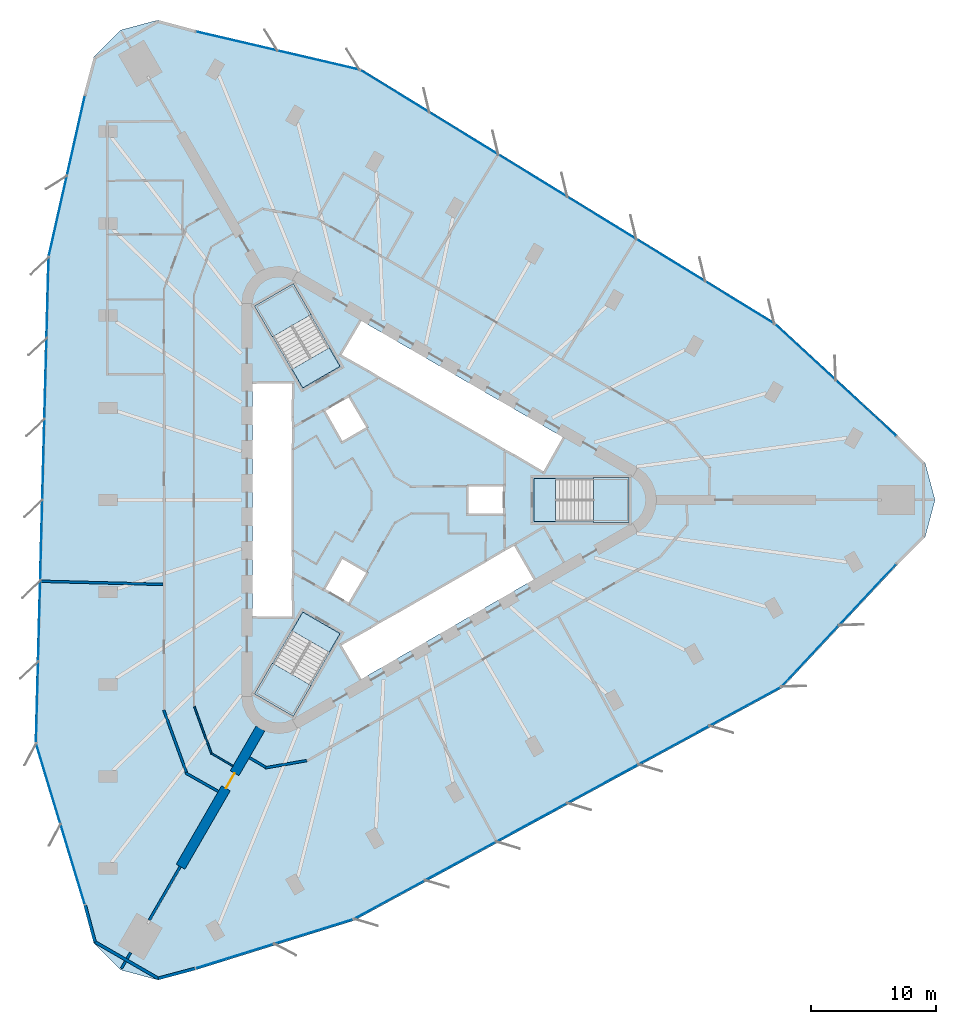
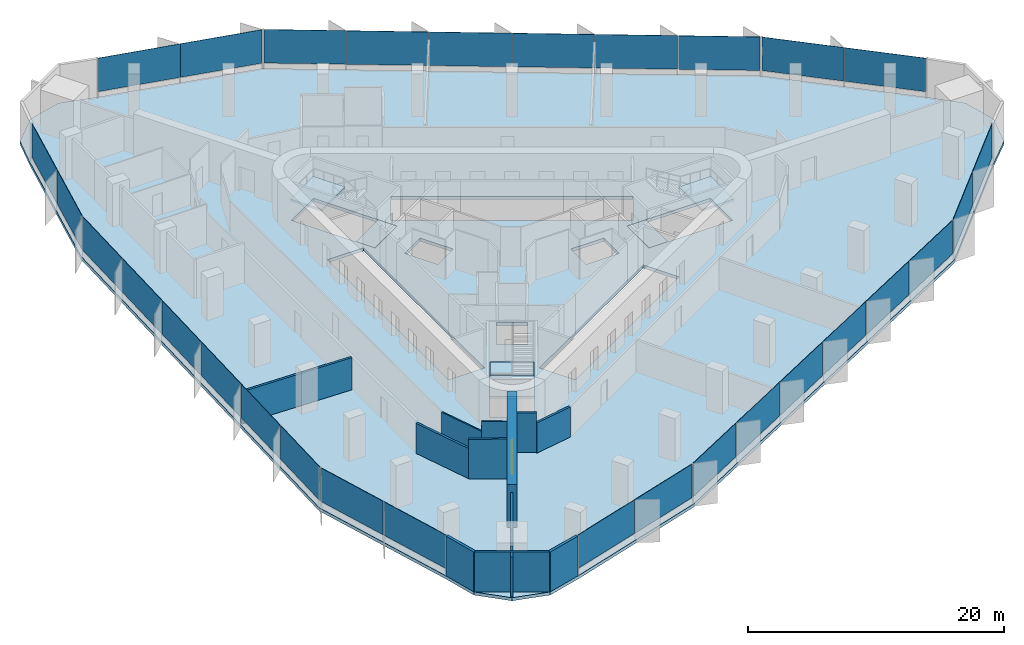
# One storey, part 8 of 14: 30 plates, 14 walls, 7 slabs, 1 door, 1 opening, 12 elements without a shape of their own.
"""IFC4 building model written with IfcOpenShell, lengths in metres."""

from ifc_helpers import new_model, si_unit, direction, frame, frame_2d, origin, origin_2d, place, context, subcontext, project, spatial, polyline, rectangle, outline, extrude, material, layer, layer_set, type_object, element, fill, aggregate, save


model = new_model("IFC4")

# Units and contexts
model_context = context("Model", 3, precision=1e-05, world=origin(), true_north=direction((0.0, 1.0)))
body_context = subcontext(model_context, "Body", "Model", "MODEL_VIEW")
ifc_project = project(units=[si_unit("LENGTHUNIT", "METRE"), si_unit("AREAUNIT", "SQUARE_METRE"), si_unit("VOLUMEUNIT", "CUBIC_METRE"), si_unit("PLANEANGLEUNIT", "RADIAN"), si_unit("MASSUNIT", "GRAM", prefix="KILO")], contexts=[model_context])

# Site, building, storey
site_placement = place(None, origin())
site = spatial("IfcSite", under=ifc_project, at=site_placement, CompositionType="ELEMENT")
building_placement = place(site_placement, origin())
building = spatial("IfcBuilding", under=site, at=building_placement, Name="Tanit Gate Tower", CompositionType="ELEMENT")
storey_placement = place(building_placement, frame((0.0, 0.0, 119.300048828125)))
storey = spatial("IfcBuildingStorey", under=building, at=storey_placement, Name="L25", CompositionType="ELEMENT", Elevation=119.300048828125)

# Slab
ifc_material_1 = material(Name="Concrete C35/45", Category="concrete")
ifc_layer_1 = layer(ifc_material_1, 0.300048828125)
ifc_layer_set_1 = layer_set([ifc_layer_1], Name="FLOOR SLAB 300 C35/45")
slab_type_1 = type_object("IfcSlabType", Name="FLOOR SLAB 300 C35/45", PredefinedType="FLOOR", material=ifc_layer_set_1)
slab_1_placement = place(storey_placement, frame((0.0, 0.0, -0.300048828125)))
element("IfcSlab", 1, at=slab_1_placement, inside=storey, type_object=slab_type_1, Name="FLOOR SLAB L25", PredefinedType="FLOOR", context=body_context, shape_type="SweptSolid", body=[
    extrude(outline(polyline([(40.5380859375, 5.17431640625), (42.72509765625, 2.987548828125), (43.525390625, 0.0), (42.72509765625, -2.987548828125), (40.5380859375, -5.17431640625), (31.245849609375, -15.095947265625), (-3.05810546875, -33.7265625), (-15.787841796875, -37.694091796875), (-18.775390625, -38.49462890625), (-21.7626953125, -37.694091796875), (-23.94970703125, -35.507080078125), (-24.750244140625, -32.519775390625), (-28.6962890625, -19.51171875), (-27.678955078125, 19.51171875), (-24.750244140625, 32.519775390625), (-23.94970703125, 35.507080078125), (-21.7626953125, 37.694091796875), (-18.775390625, 38.49462890625), (-15.787841796875, 37.694091796875), (-2.549560546875, 34.607666015625), (30.7373046875, 14.21484375), (40.5380859375, 5.17431640625)]), holes=[polyline([(11.3701171875, 1.72998046875), (18.929931640625, 1.72998046875), (18.929931640625, -1.72998046875), (11.3701171875, -1.72998046875), (11.3701171875, 1.72998046875)]), polyline([(-4.208984375, 11.60986328125), (-2.583984375, 14.424560546875), (13.783935546875, 4.974609375), (12.158935546875, 2.159912109375), (-4.208984375, 11.60986328125)]), polyline([(-4.208984375, -11.60986328125), (9.82080078125, -3.510009765625), (11.44580078125, -6.324462890625), (-2.583984375, -14.424560546875), (-4.208984375, -11.60986328125)]), polyline([(9.0, 1.199951171875), (9.0, -1.199951171875), (6.0, -1.199951171875), (6.0, 1.199951171875), (9.0, 1.199951171875)]), polyline([(-5.539306640625, 7.194091796875), (-3.460693359375, 8.394287109375), (-1.960693359375, 5.796142578125), (-4.039306640625, 4.59619140625), (-5.539306640625, 7.194091796875)]), polyline([(-1.960693359375, -5.796142578125), (-3.460693359375, -8.394287109375), (-5.539306640625, -7.194091796875), (-4.039306640625, -4.59619140625), (-1.960693359375, -5.796142578125)]), polyline([(-10.963134765625, 15.52880859375), (-7.966796875, 17.2587890625), (-4.186767578125, 10.711669921875), (-7.18310546875, 8.981689453125), (-10.963134765625, 15.52880859375)]), polyline([(-4.186767578125, -10.711669921875), (-7.966796875, -17.2587890625), (-10.963134765625, -15.52880859375), (-7.18310546875, -8.981689453125), (-4.186767578125, -10.711669921875)]), polyline([(-11.199951171875, -9.449951171875), (-11.199951171875, 9.449951171875), (-7.949951171875, 9.449951171875), (-7.949951171875, -9.449951171875), (-11.199951171875, -9.449951171875)])]), origin(), (0.0, 0.0, 1.0), 0.300048828125),
])

# Curtain wall, plates
ifc_material_2 = material(Name="Aluminium bronze anodised and glass", Category="aluminium")
curtain_wall_type = type_object("IfcCurtainWallType", Name="Curtain wall typical low", PredefinedType="NOTDEFINED", material=ifc_material_2)
curtain_wall_1_placement = place(storey_placement, origin())
curtain_wall_1 = element("IfcCurtainWall", 2, at=curtain_wall_1_placement, inside=storey, type_object=curtain_wall_type, Name="Curtain wall L25 NE1", PredefinedType="NOTDEFINED")
ifc_material_3 = material(Name="Glass tinted", Category="glass")
ifc_layer_2 = layer(ifc_material_3, 0.031982421875)
ifc_layer_set_2 = layer_set([ifc_layer_2], Name="Glass panel 32 typical low")
plate_type = type_object("IfcPlateType", Name="Glass panel 32 typical low", PredefinedType="CURTAIN_PANEL", material=ifc_layer_set_2)
plate_1_placement = place(storey_placement, frame((37.992431640625, 7.359130859375, 0.60009765625), z_axis=(0.0, 0.0, 1.0), x_axis=(-0.735046201615, 0.678017021535, 0.0)))
plate_1 = element("IfcPlate", 3, at=plate_1_placement, type_object=plate_type, Name="Glass panel L25 NE1.1", PredefinedType="CURTAIN_PANEL", context=body_context, shape_type="SweptSolid", body=[
    extrude(rectangle(XDim=6.539794921875, YDim=0.031982421875, at=origin_2d()), origin(), (0.0, 0.0, 1.0), 3.199951171875),
])
plate_2_placement = place(storey_placement, frame((33.126708984375, 11.847412109375, 0.60009765625), z_axis=(0.0, 0.0, 1.0), x_axis=(-0.735046201615, 0.678017021535, 0.0)))
plate_2 = element("IfcPlate", 4, at=plate_2_placement, type_object=plate_type, Name="Glass panel L25 NE1.2", PredefinedType="CURTAIN_PANEL", context=body_context, shape_type="SweptSolid", body=[
    extrude(rectangle(XDim=6.53955078125, YDim=0.031982421875, at=origin_2d()), origin(), (0.0, 0.0, 1.0), 3.199951171875),
])
aggregate(curtain_wall_1, [plate_1, plate_2])

curtain_wall_2_placement = place(storey_placement, origin())
curtain_wall_2 = element("IfcCurtainWall", 5, at=curtain_wall_2_placement, inside=storey, type_object=curtain_wall_type, Name="Curtain wall L25 NE2", PredefinedType="NOTDEFINED")
plate_3_placement = place(storey_placement, frame((27.864501953125, 15.833984375, 0.60009765625), z_axis=(0.0, 0.0, 1.0), x_axis=(-0.852699967985, 0.522400961521, 0.0)))
plate_3 = element("IfcPlate", 6, at=plate_3_placement, type_object=plate_type, Name="Glass panel L25 NE2.1", PredefinedType="CURTAIN_PANEL", context=body_context, shape_type="SweptSolid", body=[
    extrude(rectangle(XDim=6.40771484375, YDim=0.031982421875, at=origin_2d()), origin(), (0.0, 0.0, 1.0), 3.199951171875),
])
plate_4_placement = place(storey_placement, frame((22.33251953125, 19.22314453125, 0.60009765625), z_axis=(0.0, 0.0, 1.0), x_axis=(-0.852699967985, 0.522400961521, 0.0)))
plate_4 = element("IfcPlate", 7, at=plate_4_placement, type_object=plate_type, Name="Glass panel L25 NE2.2", PredefinedType="CURTAIN_PANEL", context=body_context, shape_type="SweptSolid", body=[
    extrude(rectangle(XDim=6.40771484375, YDim=0.031982421875, at=origin_2d()), origin(), (0.0, 0.0, 1.0), 3.199951171875),
])
plate_5_placement = place(storey_placement, frame((16.800537109375, 22.6123046875, 0.60009765625), z_axis=(0.0, 0.0, 1.0), x_axis=(-0.852699967985, 0.522400961521, 0.0)))
plate_5 = element("IfcPlate", 8, at=plate_5_placement, type_object=plate_type, Name="Glass panel L25 NE2.3", PredefinedType="CURTAIN_PANEL", context=body_context, shape_type="SweptSolid", body=[
    extrude(rectangle(XDim=6.40771484375, YDim=0.031982421875, at=origin_2d()), origin(), (0.0, 0.0, 1.0), 3.199951171875),
])
plate_6_placement = place(storey_placement, frame((11.268310546875, 26.00146484375, 0.60009765625), z_axis=(0.0, 0.0, 1.0), x_axis=(-0.852699967985, 0.522400961521, 0.0)))
plate_6 = element("IfcPlate", 9, at=plate_6_placement, type_object=plate_type, Name="Glass panel L25 NE2.4", PredefinedType="CURTAIN_PANEL", context=body_context, shape_type="SweptSolid", body=[
    extrude(rectangle(XDim=6.40771484375, YDim=0.031982421875, at=origin_2d()), origin(), (0.0, 0.0, 1.0), 3.199951171875),
])
plate_7_placement = place(storey_placement, frame((5.736328125, 29.390625, 0.60009765625), z_axis=(0.0, 0.0, 1.0), x_axis=(-0.852699967985, 0.522400961521, 0.0)))
plate_7 = element("IfcPlate", 10, at=plate_7_placement, type_object=plate_type, Name="Glass panel L25 NE2.5", PredefinedType="CURTAIN_PANEL", context=body_context, shape_type="SweptSolid", body=[
    extrude(rectangle(XDim=6.40771484375, YDim=0.031982421875, at=origin_2d()), origin(), (0.0, 0.0, 1.0), 3.199951171875),
])
plate_8_placement = place(storey_placement, frame((0.204345703125, 32.77978515625, 0.60009765625), z_axis=(0.0, 0.0, 1.0), x_axis=(-0.852699967985, 0.522400961521, 0.0)))
plate_8 = element("IfcPlate", 11, at=plate_8_placement, type_object=plate_type, Name="Glass panel L25 NE2.6", PredefinedType="CURTAIN_PANEL", context=body_context, shape_type="SweptSolid", body=[
    extrude(rectangle(XDim=6.40771484375, YDim=0.031982421875, at=origin_2d()), origin(), (0.0, 0.0, 1.0), 3.199951171875),
])
aggregate(curtain_wall_2, [plate_3, plate_4, plate_5, plate_6, plate_7, plate_8])

curtain_wall_3_placement = place(storey_placement, origin())
curtain_wall_3 = element("IfcCurtainWall", 12, at=curtain_wall_3_placement, inside=storey, type_object=curtain_wall_type, Name="Curtain wall L25 NE3", PredefinedType="NOTDEFINED")
plate_9_placement = place(storey_placement, frame((-5.92041015625, 35.2705078125, 0.60009765625), z_axis=(0.0, 0.0, 1.0), x_axis=(-0.973881812396, 0.227055533921, 0.0)))
plate_9 = element("IfcPlate", 13, at=plate_9_placement, type_object=plate_type, Name="Glass panel L25 NE3.1", PredefinedType="CURTAIN_PANEL", context=body_context, shape_type="SweptSolid", body=[
    extrude(rectangle(XDim=6.66796875, YDim=0.031982421875, at=origin_2d()), origin(), (0.0, 0.0, 1.0), 3.199951171875),
])
plate_10_placement = place(storey_placement, frame((-12.4921875, 36.802490234375, 0.60009765625), z_axis=(0.0, 0.0, 1.0), x_axis=(-0.973881812396, 0.227055533921, 0.0)))
plate_10 = element("IfcPlate", 14, at=plate_10_placement, type_object=plate_type, Name="Glass panel L25 NE3.2", PredefinedType="CURTAIN_PANEL", context=body_context, shape_type="SweptSolid", body=[
    extrude(rectangle(XDim=6.66796875, YDim=0.031982421875, at=origin_2d()), origin(), (0.0, 0.0, 1.0), 3.199951171875),
])
aggregate(curtain_wall_3, [plate_9, plate_10])

curtain_wall_4_placement = place(storey_placement, origin())
curtain_wall_4 = element("IfcCurtainWall", 15, at=curtain_wall_4_placement, inside=storey, type_object=curtain_wall_type, Name="Curtain wall L25 W1", PredefinedType="NOTDEFINED")
plate_11_placement = place(storey_placement, frame((-25.369384765625, 29.222900390625, 0.60009765625), z_axis=(0.0, 0.0, 1.0), x_axis=(-0.21965686404, -0.975577194321, 0.0)))
plate_11 = element("IfcPlate", 16, at=plate_11_placement, type_object=plate_type, Name="Glass panel L25 W1.1", PredefinedType="CURTAIN_PANEL", context=body_context, shape_type="SweptSolid", body=[
    extrude(rectangle(XDim=6.539794921875, YDim=0.031982421875, at=origin_2d()), origin(), (0.0, 0.0, 1.0), 3.199951171875),
])
plate_12_placement = place(storey_placement, frame((-26.823486328125, 22.764892578125, 0.60009765625), z_axis=(0.0, 0.0, 1.0), x_axis=(-0.21965686404, -0.975577194321, 0.0)))
plate_12 = element("IfcPlate", 17, at=plate_12_placement, type_object=plate_type, Name="Glass panel L25 W1.2", PredefinedType="CURTAIN_PANEL", context=body_context, shape_type="SweptSolid", body=[
    extrude(rectangle(XDim=6.53955078125, YDim=0.031982421875, at=origin_2d()), origin(), (0.0, 0.0, 1.0), 3.199951171875),
])
aggregate(curtain_wall_4, [plate_11, plate_12])

curtain_wall_5_placement = place(storey_placement, origin())
curtain_wall_5 = element("IfcCurtainWall", 18, at=curtain_wall_5_placement, inside=storey, type_object=curtain_wall_type, Name="Curtain wall L25 W2", PredefinedType="NOTDEFINED")
plate_13_placement = place(storey_placement, frame((-27.64501953125, 16.21435546875, 0.60009765625), z_axis=(0.0, 0.0, 1.0), x_axis=(-0.026062519646, -0.999660314842, 0.0)))
plate_13 = element("IfcPlate", 19, at=plate_13_placement, type_object=plate_type, Name="Glass panel L25 W2.1", PredefinedType="CURTAIN_PANEL", context=body_context, shape_type="SweptSolid", body=[
    extrude(rectangle(XDim=6.40771484375, YDim=0.031982421875, at=origin_2d()), origin(), (0.0, 0.0, 1.0), 3.199951171875),
])
plate_14_placement = place(storey_placement, frame((-27.81396484375, 9.728759765625, 0.60009765625), z_axis=(0.0, 0.0, 1.0), x_axis=(-0.026062519646, -0.999660314842, 0.0)))
plate_14 = element("IfcPlate", 20, at=plate_14_placement, type_object=plate_type, Name="Glass panel L25 W2.2", PredefinedType="CURTAIN_PANEL", context=body_context, shape_type="SweptSolid", body=[
    extrude(rectangle(XDim=6.40771484375, YDim=0.031982421875, at=origin_2d()), origin(), (0.0, 0.0, 1.0), 3.199951171875),
])
plate_15_placement = place(storey_placement, frame((-27.983154296875, 3.243408203125, 0.60009765625), z_axis=(0.0, 0.0, 1.0), x_axis=(-0.026062519646, -0.999660314842, 0.0)))
plate_15 = element("IfcPlate", 21, at=plate_15_placement, type_object=plate_type, Name="Glass panel L25 W2.3", PredefinedType="CURTAIN_PANEL", context=body_context, shape_type="SweptSolid", body=[
    extrude(rectangle(XDim=6.40771484375, YDim=0.031982421875, at=origin_2d()), origin(), (0.0, 0.0, 1.0), 3.199951171875),
])
plate_16_placement = place(storey_placement, frame((-28.152099609375, -3.241943359375, 0.60009765625), z_axis=(0.0, 0.0, 1.0), x_axis=(-0.026062519646, -0.999660314842, 0.0)))
plate_16 = element("IfcPlate", 22, at=plate_16_placement, type_object=plate_type, Name="Glass panel L25 W2.4", PredefinedType="CURTAIN_PANEL", context=body_context, shape_type="SweptSolid", body=[
    extrude(rectangle(XDim=6.40771484375, YDim=0.031982421875, at=origin_2d()), origin(), (0.0, 0.0, 1.0), 3.199951171875),
])
plate_17_placement = place(storey_placement, frame((-28.3212890625, -9.7275390625, 0.60009765625), z_axis=(0.0, 0.0, 1.0), x_axis=(-0.026062519646, -0.999660314842, 0.0)))
plate_17 = element("IfcPlate", 23, at=plate_17_placement, type_object=plate_type, Name="Glass panel L25 W2.5", PredefinedType="CURTAIN_PANEL", context=body_context, shape_type="SweptSolid", body=[
    extrude(rectangle(XDim=6.40771484375, YDim=0.031982421875, at=origin_2d()), origin(), (0.0, 0.0, 1.0), 3.199951171875),
])
plate_18_placement = place(storey_placement, frame((-28.490234375, -16.212890625, 0.60009765625), z_axis=(0.0, 0.0, 1.0), x_axis=(-0.026062519646, -0.999660314842, 0.0)))
plate_18 = element("IfcPlate", 24, at=plate_18_placement, type_object=plate_type, Name="Glass panel L25 W2.6", PredefinedType="CURTAIN_PANEL", context=body_context, shape_type="SweptSolid", body=[
    extrude(rectangle(XDim=6.40771484375, YDim=0.031982421875, at=origin_2d()), origin(), (0.0, 0.0, 1.0), 3.199951171875),
])
aggregate(curtain_wall_5, [plate_13, plate_14, plate_15, plate_16, plate_17, plate_18])

curtain_wall_6_placement = place(storey_placement, origin())
curtain_wall_6 = element("IfcCurtainWall", 25, at=curtain_wall_6_placement, inside=storey, type_object=curtain_wall_type, Name="Curtain wall L25 W3", PredefinedType="NOTDEFINED")
plate_19_placement = place(storey_placement, frame((-27.584716796875, -22.762451171875, 0.60009765625), z_axis=(0.0, 0.0, 1.0), x_axis=(0.290305045753, -0.956934156779, 0.0)))
plate_19 = element("IfcPlate", 26, at=plate_19_placement, type_object=plate_type, Name="Glass panel L25 W3.1", PredefinedType="CURTAIN_PANEL", context=body_context, shape_type="SweptSolid", body=[
    extrude(rectangle(XDim=6.66796875, YDim=0.031982421875, at=origin_2d()), origin(), (0.0, 0.0, 1.0), 3.199951171875),
])
plate_20_placement = place(storey_placement, frame((-25.6259765625, -29.2197265625, 0.60009765625), z_axis=(0.0, 0.0, 1.0), x_axis=(0.290305045753, -0.956934156779, 0.0)))
plate_20 = element("IfcPlate", 27, at=plate_20_placement, type_object=plate_type, Name="Glass panel L25 W3.2", PredefinedType="CURTAIN_PANEL", context=body_context, shape_type="SweptSolid", body=[
    extrude(rectangle(XDim=6.66796875, YDim=0.031982421875, at=origin_2d()), origin(), (0.0, 0.0, 1.0), 3.199951171875),
])
aggregate(curtain_wall_6, [plate_19, plate_20])

curtain_wall_7_placement = place(storey_placement, origin())
curtain_wall_7 = element("IfcCurtainWall", 28, at=curtain_wall_7_placement, inside=storey, type_object=curtain_wall_type, Name="Curtain wall L25 SE1", PredefinedType="NOTDEFINED")
plate_21_placement = place(storey_placement, frame((-12.623046875, -36.58203125, 0.60009765625), z_axis=(0.0, 0.0, 1.0), x_axis=(0.954703065655, 0.297560172786, 0.0)))
plate_21 = element("IfcPlate", 29, at=plate_21_placement, type_object=plate_type, Name="Glass panel L25 SE1.1", PredefinedType="CURTAIN_PANEL", context=body_context, shape_type="SweptSolid", body=[
    extrude(rectangle(XDim=6.539794921875, YDim=0.031982421875, at=origin_2d()), origin(), (0.0, 0.0, 1.0), 3.199951171875),
])
plate_22_placement = place(storey_placement, frame((-6.30322265625, -34.6123046875, 0.60009765625), z_axis=(0.0, 0.0, 1.0), x_axis=(0.954703065655, 0.297560172786, 0.0)))
plate_22 = element("IfcPlate", 30, at=plate_22_placement, type_object=plate_type, Name="Glass panel L25 SE1.2", PredefinedType="CURTAIN_PANEL", context=body_context, shape_type="SweptSolid", body=[
    extrude(rectangle(XDim=6.53955078125, YDim=0.031982421875, at=origin_2d()), origin(), (0.0, 0.0, 1.0), 3.199951171875),
])
aggregate(curtain_wall_7, [plate_21, plate_22])

curtain_wall_8_placement = place(storey_placement, origin())
curtain_wall_8 = element("IfcCurtainWall", 31, at=curtain_wall_8_placement, inside=storey, type_object=curtain_wall_type, Name="Curtain wall L25 SE2", PredefinedType="NOTDEFINED")
plate_23_placement = place(storey_placement, frame((-0.219482421875, -32.04833984375, 0.60009765625), z_axis=(0.0, 0.0, 1.0), x_axis=(0.878762487631, 0.477259353321, 0.0)))
plate_23 = element("IfcPlate", 32, at=plate_23_placement, type_object=plate_type, Name="Glass panel L25 SE2.1", PredefinedType="CURTAIN_PANEL", context=body_context, shape_type="SweptSolid", body=[
    extrude(rectangle(XDim=6.40771484375, YDim=0.031982421875, at=origin_2d()), origin(), (0.0, 0.0, 1.0), 3.199951171875),
])
plate_24_placement = place(storey_placement, frame((5.4814453125, -28.9521484375, 0.60009765625), z_axis=(0.0, 0.0, 1.0), x_axis=(0.878762487631, 0.477259353321, 0.0)))
plate_24 = element("IfcPlate", 33, at=plate_24_placement, type_object=plate_type, Name="Glass panel L25 SE2.2", PredefinedType="CURTAIN_PANEL", context=body_context, shape_type="SweptSolid", body=[
    extrude(rectangle(XDim=6.40771484375, YDim=0.031982421875, at=origin_2d()), origin(), (0.0, 0.0, 1.0), 3.199951171875),
])
plate_25_placement = place(storey_placement, frame((11.1826171875, -25.855712890625, 0.60009765625), z_axis=(0.0, 0.0, 1.0), x_axis=(0.878762487631, 0.477259353321, 0.0)))
plate_25 = element("IfcPlate", 34, at=plate_25_placement, type_object=plate_type, Name="Glass panel L25 SE2.3", PredefinedType="CURTAIN_PANEL", context=body_context, shape_type="SweptSolid", body=[
    extrude(rectangle(XDim=6.40771484375, YDim=0.031982421875, at=origin_2d()), origin(), (0.0, 0.0, 1.0), 3.199951171875),
])
plate_26_placement = place(storey_placement, frame((16.8837890625, -22.759521484375, 0.60009765625), z_axis=(0.0, 0.0, 1.0), x_axis=(0.878762487631, 0.477259353321, 0.0)))
plate_26 = element("IfcPlate", 35, at=plate_26_placement, type_object=plate_type, Name="Glass panel L25 SE2.4", PredefinedType="CURTAIN_PANEL", context=body_context, shape_type="SweptSolid", body=[
    extrude(rectangle(XDim=6.40771484375, YDim=0.031982421875, at=origin_2d()), origin(), (0.0, 0.0, 1.0), 3.199951171875),
])
plate_27_placement = place(storey_placement, frame((22.584716796875, -19.6630859375, 0.60009765625), z_axis=(0.0, 0.0, 1.0), x_axis=(0.878762487631, 0.477259353321, 0.0)))
plate_27 = element("IfcPlate", 36, at=plate_27_placement, type_object=plate_type, Name="Glass panel L25 SE2.5", PredefinedType="CURTAIN_PANEL", context=body_context, shape_type="SweptSolid", body=[
    extrude(rectangle(XDim=6.40771484375, YDim=0.031982421875, at=origin_2d()), origin(), (0.0, 0.0, 1.0), 3.199951171875),
])
plate_28_placement = place(storey_placement, frame((28.285888671875, -16.56689453125, 0.60009765625), z_axis=(0.0, 0.0, 1.0), x_axis=(0.878762487631, 0.477259353321, 0.0)))
plate_28 = element("IfcPlate", 37, at=plate_28_placement, type_object=plate_type, Name="Glass panel L25 SE2.6", PredefinedType="CURTAIN_PANEL", context=body_context, shape_type="SweptSolid", body=[
    extrude(rectangle(XDim=6.40771484375, YDim=0.031982421875, at=origin_2d()), origin(), (0.0, 0.0, 1.0), 3.199951171875),
])
aggregate(curtain_wall_8, [plate_23, plate_24, plate_25, plate_26, plate_27, plate_28])

curtain_wall_9_placement = place(storey_placement, origin())
curtain_wall_9 = element("IfcCurtainWall", 38, at=curtain_wall_9_placement, inside=storey, type_object=curtain_wall_type, Name="Curtain wall L25 SE3", PredefinedType="NOTDEFINED")
plate_29_placement = place(storey_placement, frame((33.50537109375, -12.5078125, 0.60009765625), z_axis=(0.0, 0.0, 1.0), x_axis=(0.683576766643, 0.729878622858, 0.0)))
plate_29 = element("IfcPlate", 39, at=plate_29_placement, type_object=plate_type, Name="Glass panel L25 SE3.1", PredefinedType="CURTAIN_PANEL", context=body_context, shape_type="SweptSolid", body=[
    extrude(rectangle(XDim=6.66796875, YDim=0.031982421875, at=origin_2d()), origin(), (0.0, 0.0, 1.0), 3.199951171875),
])
plate_30_placement = place(storey_placement, frame((38.117919921875, -7.582763671875, 0.60009765625), z_axis=(0.0, 0.0, 1.0), x_axis=(0.683576766643, 0.729878622858, 0.0)))
plate_30 = element("IfcPlate", 40, at=plate_30_placement, type_object=plate_type, Name="Glass panel L25 SE3.2", PredefinedType="CURTAIN_PANEL", context=body_context, shape_type="SweptSolid", body=[
    extrude(rectangle(XDim=6.66796875, YDim=0.031982421875, at=origin_2d()), origin(), (0.0, 0.0, 1.0), 3.199951171875),
])
aggregate(curtain_wall_9, [plate_29, plate_30])

# Stair, slab
ifc_material_4 = material(Name="Concrete C40/50", Category="concrete")
stair_type = type_object("IfcStairType", Name="INT-STAIR-EXIT", PredefinedType="HALF_TURN_STAIR", material=ifc_material_4)
stair_1_placement = place(storey_placement, origin())
stair_1 = element("IfcStair", 41, at=stair_1_placement, inside=storey, type_object=stair_type, Name="L25 STAIR S1", PredefinedType="HALF_TURN_STAIR")
ifc_material_5 = material(Name="Concrete C40/50", Category="concrete")
ifc_layer_3 = layer(ifc_material_5, 0.199951171875)
ifc_layer_set_3 = layer_set([ifc_layer_3], Name="INT-STAIR-LANDING")
slab_type_2 = type_object("IfcSlabType", Name="INT-STAIR-LANDING", PredefinedType="LANDING", material=ifc_layer_set_3)
slab_2_placement = place(storey_placement, frame((0.0, 0.0, 1.849853515625)))
slab_2 = element("IfcSlab", 42, at=slab_2_placement, type_object=slab_type_2, Name="S1 landing 1", PredefinedType="LANDING", context=body_context, shape_type="SweptSolid", body=[
    extrude(outline(polyline([(16.135986328125, -1.800048828125), (19.0, -1.800048828125), (19.0, 1.800048828125), (16.135986328125, 1.800048828125), (16.135986328125, -1.800048828125)])), origin(), (0.0, 0.0, 1.0), 0.2001953125),
])
aggregate(stair_1, [slab_2])

# Slab
slab_3_placement = place(storey_placement, frame((0.0, 0.0, -0.199951171875)))
element("IfcSlab", 43, at=slab_3_placement, inside=storey, type_object=slab_type_2, Name="S1 floor landing", PredefinedType="LANDING", context=body_context, shape_type="SweptSolid", body=[
    extrude(outline(polyline([(11.3798828125, -1.719970703125), (13.10498046875, -1.719970703125), (13.10498046875, 1.719970703125), (11.3798828125, 1.719970703125), (11.3798828125, -1.719970703125)])), origin(), (0.0, 0.0, 1.0), 0.199951171875),
])

# Stair, slab
stair_2_placement = place(storey_placement, origin())
stair_2 = element("IfcStair", 44, at=stair_2_placement, inside=storey, type_object=stair_type, Name="L25 STAIR S2", PredefinedType="HALF_TURN_STAIR")
slab_4_placement = place(storey_placement, frame((0.0, 0.0, 1.849853515625)))
slab_4 = element("IfcSlab", 45, at=slab_4_placement, type_object=slab_type_2, Name="S2 landing 1", PredefinedType="LANDING", context=body_context, shape_type="SweptSolid", body=[
    extrude(outline(polyline([(-6.5078125, 14.871826171875), (-7.941162109375, 17.3544921875), (-11.058837890625, 15.554443359375), (-9.62548828125, 13.07177734375), (-6.5078125, 14.871826171875)])), origin(), (0.0, 0.0, 1.0), 0.2001953125),
])
aggregate(stair_2, [slab_4])

# Slab
slab_5_placement = place(storey_placement, frame((0.0, 0.0, -0.199951171875)))
element("IfcSlab", 46, at=slab_5_placement, inside=storey, type_object=slab_type_2, Name="S2 floor landing", PredefinedType="LANDING", context=body_context, shape_type="SweptSolid", body=[
    extrude(outline(polyline([(-4.200439453125, 10.71533203125), (-5.0625, 12.20849609375), (-8.04150390625, 10.48828125), (-7.179443359375, 8.995361328125), (-4.200439453125, 10.71533203125)])), origin(), (0.0, 0.0, 1.0), 0.199951171875),
])

# Stair, slab
stair_3_placement = place(storey_placement, origin())
stair_3 = element("IfcStair", 47, at=stair_3_placement, inside=storey, type_object=stair_type, Name="L25 STAIR S3", PredefinedType="HALF_TURN_STAIR")
slab_6_placement = place(storey_placement, frame((0.0, 0.0, 1.849853515625)))
slab_6 = element("IfcSlab", 48, at=slab_6_placement, type_object=slab_type_2, Name="S3 landing 1", PredefinedType="LANDING", context=body_context, shape_type="SweptSolid", body=[
    extrude(outline(polyline([(-9.626953125, -13.07421875), (-11.058837890625, -15.554443359375), (-7.941162109375, -17.3544921875), (-6.509033203125, -14.874267578125), (-9.626953125, -13.07421875)])), origin(), (0.0, 0.0, 1.0), 0.2001953125),
])
aggregate(stair_3, [slab_6])

# Slab
slab_7_placement = place(storey_placement, frame((0.0, 0.0, -0.199951171875)))
element("IfcSlab", 49, at=slab_7_placement, inside=storey, type_object=slab_type_2, Name="S3 floor landing", PredefinedType="LANDING", context=body_context, shape_type="SweptSolid", body=[
    extrude(outline(polyline([(-7.179443359375, -8.995361328125), (-8.0419921875, -10.4892578125), (-5.06298828125, -12.209228515625), (-4.200439453125, -10.71533203125), (-7.179443359375, -8.995361328125)])), origin(), (0.0, 0.0, 1.0), 0.199951171875),
])

# Wall, opening, door
ifc_material_6 = material(Name="Concrete C60/75", Category="concrete")
ifc_layer_4 = layer(ifc_material_6, 0.800048828125)
ifc_layer_set_4 = layer_set([ifc_layer_4], Name="BUTTRESS FIN 800 C60/75")
wall_type_1 = type_object("IfcWallType", Name="BUTTRESS FIN 800 C60/75", PredefinedType="SHEAR", material=ifc_layer_set_4)
wall_1_placement = place(storey_placement, frame((-10.574951171875, -18.31640625, 0.0), z_axis=(0.0, 0.0, 1.0), x_axis=(-0.500008359956, -0.866020577108, 0.0)))
wall_1 = element("IfcWall", 50, at=wall_1_placement, inside=storey, type_object=wall_type_1, Name="BUTTRESS FIN", PredefinedType="SHEAR", context=body_context, shape_type="SweptSolid", body=[
    extrude(rectangle(XDim=12.812255859375, YDim=0.800048828125, at=frame_2d((6.40625, 0.0))), origin(), (0.0, 0.0, 1.0), 4.099853515625),
])
opening_placement = place(wall_1_placement, frame((4.14990234375, 0.0, 0.0)))
opening = element("IfcOpeningElement", 51, at=opening_placement, cuts=wall_1, Name="Opening P14-S06-F-SW-1", PredefinedType="OPENING", context=body_context, shape_type="SweptSolid", body=[
    extrude(rectangle(XDim=1.39990234375, YDim=2.39990234375, at=frame_2d((0.699951171875, 1.199951171875))), frame((0.0, 0.41015625, 0.0), z_axis=(0.0, -1.0, 0.0), x_axis=(1.0, 0.0, 0.0)), (0.0, 0.0, 1.0), 0.820068359375),
])
ifc_material_7 = material(Name="Timber door leaf", Category="wood")
door_type = type_object("IfcDoorType", Name="INT-DOOR-FIN-PAIR-1400", OperationType="NOTDEFINED", PredefinedType="NOTDEFINED", material=ifc_material_7)
door_placement = place(opening_placement, origin())
door = element("IfcDoor", 52, at=door_placement, inside=storey, type_object=door_type, Name="Door P14-S06-F-SW-1", OperationType="DOUBLE_DOOR_SINGLE_SWING", OverallHeight=2.39990234375, OverallWidth=1.39990234375, PredefinedType="NOTDEFINED", context=body_context, shape_type="SweptSolid", body=[
    extrude(rectangle(XDim=1.39990234375, YDim=2.39990234375, at=frame_2d((0.699951171875, 1.199951171875))), frame((0.0, 0.02490234375, 0.0), z_axis=(0.0, -1.0, 0.0), x_axis=(1.0, 0.0, 0.0)), (0.0, 0.0, 1.0), 0.050048828125),
])
fill(opening, door)

# Walls
ifc_material_8 = material(Name="Concrete C30/37 with bronze anodised aluminium cladding", Category="concrete")
ifc_layer_5 = layer(ifc_material_8, 0.239990234375)
ifc_layer_set_5 = layer_set([ifc_layer_5], Name="Facade wall bronze clad 240")
wall_type_2 = type_object("IfcWallType", Name="Facade wall bronze clad 240", PredefinedType="SOLIDWALL", material=ifc_layer_set_5)
wall_2_placement = place(storey_placement, frame((-24.634765625, -32.48681640625, 0.0), z_axis=(0.0, 0.0, 1.0), x_axis=(0.258838355735, -0.965920651814, 0.0)))
element("IfcWall", 53, at=wall_2_placement, inside=storey, type_object=wall_type_2, Name="Bronze-clad facade wall L25 SW.arc1", PredefinedType="SOLIDWALL", context=body_context, shape_type="SweptSolid", body=[
    extrude(rectangle(XDim=3.062744140625, YDim=0.239990234375, at=frame_2d((1.53125, 0.0))), origin(), (0.0, 0.0, 1.0), 3.800048828125),
])
wall_3_placement = place(storey_placement, frame((-23.842041015625, -35.445068359375, 0.0), z_axis=(0.0, 0.0, 1.0), x_axis=(0.866031321059, -0.49998975084, 0.0)))
element("IfcWall", 54, at=wall_3_placement, inside=storey, type_object=wall_type_2, Name="Bronze-clad facade wall L25 SW.arc2", PredefinedType="SOLIDWALL", context=body_context, shape_type="SweptSolid", body=[
    extrude(rectangle(XDim=5.8505859375, YDim=0.239990234375, at=frame_2d((2.92529296875, 0.0))), origin(), (0.0, 0.0, 1.0), 3.800048828125),
])
wall_4_placement = place(storey_placement, frame((-18.775146484375, -38.370361328125, 0.0), z_axis=(0.0, 0.0, 1.0), x_axis=(0.965924175265, 0.258825206729, 0.0)))
element("IfcWall", 55, at=wall_4_placement, inside=storey, type_object=wall_type_2, Name="Bronze-clad facade wall L25 SW.arc3", PredefinedType="SOLIDWALL", context=body_context, shape_type="SweptSolid", body=[
    extrude(rectangle(XDim=3.05810546875, YDim=0.239990234375, at=frame_2d((1.529052734375, 0.0))), origin(), (0.0, 0.0, 1.0), 3.800048828125),
])
ifc_material_9 = material(Name="Fire-rated gypsum board partition")
ifc_layer_6 = layer(ifc_material_9, 0.199951171875)
ifc_layer_set_6 = layer_set([ifc_layer_6], Name="INT-WALL-COMPARTMENT")
wall_type_3 = type_object("IfcWallType", Name="INT-WALL-COMPARTMENT", PredefinedType="PARTITIONING", material=ifc_layer_set_6)
wall_5_placement = place(storey_placement, frame((-16.576416015625, -21.89208984375, 0.0), z_axis=(0.0, 0.0, 1.0), x_axis=(0.870559817111, -0.492062602553, 0.0)))
element("IfcWall", 56, at=wall_5_placement, inside=storey, type_object=wall_type_3, Name="Wall Compartment W088", PredefinedType="PARTITIONING", context=body_context, shape_type="SweptSolid", body=[
    extrude(rectangle(XDim=3.009765625, YDim=0.199951171875, at=frame_2d((1.5048828125, 0.0))), origin(), (0.0, 0.0, 1.0), 3.800048828125),
])
wall_6_placement = place(storey_placement, frame((-18.334228515625, -16.84033203125, 0.0), z_axis=(0.0, 0.0, 1.0), x_axis=(0.342015877493, -0.939694173411, 0.0)))
element("IfcWall", 57, at=wall_6_placement, inside=storey, type_object=wall_type_3, Name="Wall Compartment W089", PredefinedType="PARTITIONING", context=body_context, shape_type="SweptSolid", body=[
    extrude(rectangle(XDim=5.388671875, YDim=0.199951171875, at=frame_2d((2.6943359375, 0.0))), origin(), (0.0, 0.0, 1.0), 2.8798828125),
])
wall_7_placement = place(storey_placement, frame((-10.22021484375, -21.489501953125, 0.0), z_axis=(0.0, 0.0, 1.0), x_axis=(0.984805188344, 0.173662721995, 0.0)))
element("IfcWall", 58, at=wall_7_placement, inside=storey, type_object=wall_type_3, Name="Wall Compartment W111", PredefinedType="PARTITIONING", context=body_context, shape_type="SweptSolid", body=[
    extrude(rectangle(XDim=3.40771484375, YDim=0.199951171875, at=frame_2d((1.703857421875, 0.0))), origin(), (0.0, 0.0, 1.0), 2.8798828125),
])
wall_8_placement = place(storey_placement, frame((-11.46484375, -20.657470703125, 0.0), z_axis=(0.0, 0.0, 1.0), x_axis=(0.858376755127, -0.513019830276, 0.0)))
element("IfcWall", 59, at=wall_8_placement, inside=storey, type_object=wall_type_3, Name="Wall Compartment W112", PredefinedType="PARTITIONING", context=body_context, shape_type="SweptSolid", body=[
    extrude(rectangle(XDim=1.533203125, YDim=0.199951171875, at=frame_2d((0.7666015625, 0.0))), origin(), (0.0, 0.0, 1.0), 3.800048828125),
])
wall_9_placement = place(storey_placement, frame((-18.39990234375, -6.771240234375, 0.0), z_axis=(0.0, 0.0, 1.0), x_axis=(-0.999660021388, 0.026073772986, 0.0)))
element("IfcWall", 60, at=wall_9_placement, inside=storey, type_object=wall_type_3, Name="Wall Compartment W113", PredefinedType="PARTITIONING", context=body_context, shape_type="SweptSolid", body=[
    extrude(rectangle(XDim=9.841064453125, YDim=0.199951171875, at=frame_2d((4.92041015625, 0.0))), origin(), (0.0, 0.0, 1.0), 3.079833984375),
])
wall_10_placement = place(storey_placement, frame((-17.007080078125, -29.397216796875, 0.0), z_axis=(0.0, 0.0, 1.0), x_axis=(-0.500006314404, -0.866021758131, 0.0)))
element("IfcWall", 61, at=wall_10_placement, inside=storey, type_object=wall_type_3, Name="Wall Compartment W115", PredefinedType="PARTITIONING", context=body_context, shape_type="SweptSolid", body=[
    extrude(rectangle(XDim=4.96337890625, YDim=0.199951171875, at=frame_2d((2.481689453125, 0.0))), origin(), (0.0, 0.0, 1.0), 3.369873046875),
])
wall_11_placement = place(storey_placement, frame((-20.98876953125, -36.29345703125, 0.0), z_axis=(0.0, 0.0, 1.0), x_axis=(-0.499857944771, -0.866107403877, 0.0)))
element("IfcWall", 62, at=wall_11_placement, inside=storey, type_object=wall_type_3, Name="Wall Compartment W114", PredefinedType="PARTITIONING", context=body_context, shape_type="SweptSolid", body=[
    extrude(rectangle(XDim=0.572021484375, YDim=0.199951171875, at=frame_2d((0.2861328125, 0.0))), origin(), (0.0, 0.0, 1.0), 3.800048828125),
])
wall_12_placement = place(storey_placement, frame((-21.394775390625, -36.99658203125, 0.0), z_axis=(0.0, 0.0, 1.0), x_axis=(-0.499862072928, -0.866105021373, 0.0)))
element("IfcWall", 63, at=wall_12_placement, inside=storey, type_object=wall_type_3, Name="Wall Compartment W114x1", PredefinedType="PARTITIONING", context=body_context, shape_type="SweptSolid", body=[
    extrude(rectangle(XDim=0.656005859375, YDim=0.199951171875, at=frame_2d((0.328125, 0.0))), origin(), (0.0, 0.0, 1.0), 3.800048828125),
])
ifc_material_10 = material(Name="Gypsum board partition")
ifc_layer_7 = layer(ifc_material_10, 0.1201171875)
ifc_layer_set_7 = layer_set([ifc_layer_7], Name="INT-WALL-PARTITION")
wall_type_4 = type_object("IfcWallType", Name="INT-WALL-PARTITION", PredefinedType="PARTITIONING", material=ifc_layer_set_7)
wall_13_placement = place(storey_placement, frame((-15.87939453125, -16.5673828125, 0.0), z_axis=(0.0, 0.0, 1.0), x_axis=(0.341999322503, -0.939700198685, 0.0)))
element("IfcWall", 64, at=wall_13_placement, inside=storey, type_object=wall_type_4, Name="Wall Partition W086", PredefinedType="PARTITIONING", context=body_context, shape_type="SweptSolid", body=[
    extrude(rectangle(XDim=4.053955078125, YDim=0.1201171875, at=frame_2d((2.02685546875, 0.0))), origin(), (0.0, 0.0, 1.0), 2.8798828125),
])
wall_14_placement = place(storey_placement, frame((-14.494140625, -20.322021484375, 0.0), z_axis=(0.0, 0.0, 1.0), x_axis=(0.859745408261, -0.510722853389, 0.0)))
element("IfcWall", 65, at=wall_14_placement, inside=storey, type_object=wall_type_4, Name="Wall Partition W087", PredefinedType="PARTITIONING", context=body_context, shape_type="SweptSolid", body=[
    extrude(rectangle(XDim=1.991455078125, YDim=0.1201171875, at=frame_2d((0.99560546875, 0.0))), origin(), (0.0, 0.0, 1.0), 3.800048828125),
])

save(model, "model.ifc")
